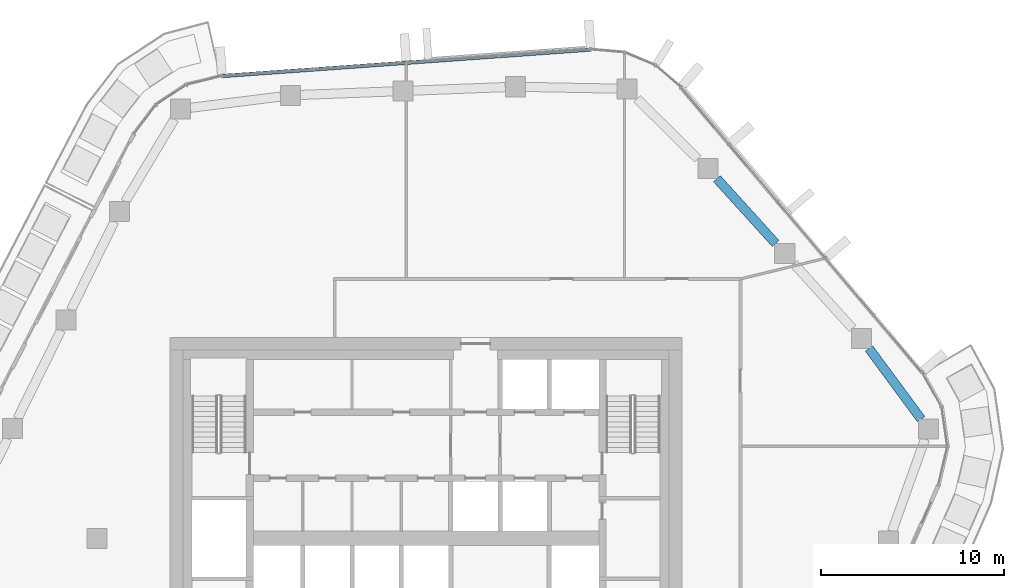
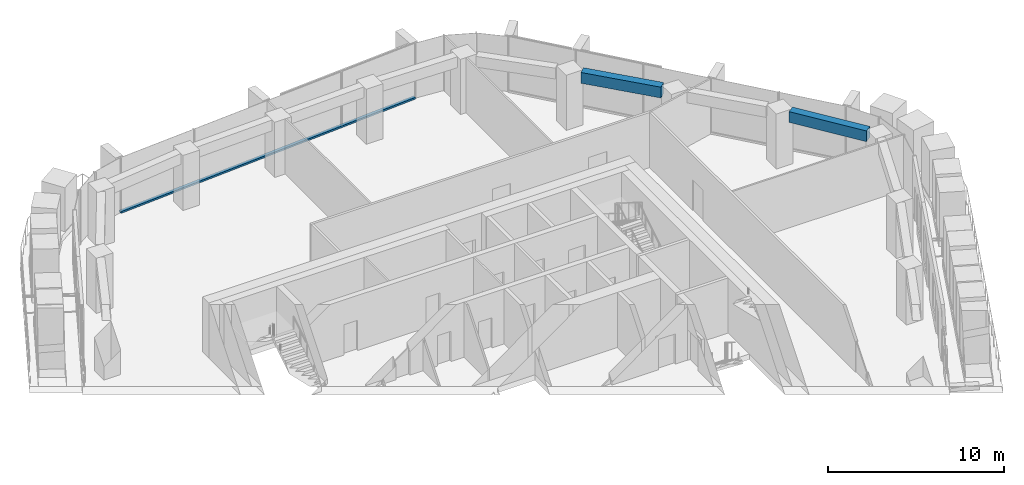
# One storey, part 8 of 21: 2 beams, 1 member, 1 element without a shape of its own.
"""IFC4 building model written with IfcOpenShell, lengths in metres."""

from ifc_helpers import new_model, si_unit, direction, frame, origin, origin_2d, place, context, subcontext, project, spatial, rectangle, extrude, material, layer, layer_set, material_profile, profile_set, type_object, element, aggregate, save


model = new_model("IFC4")

# Units and contexts
model_context = context("Model", 3, precision=1e-05, world=origin(), true_north=direction((0.0, 1.0)))
body_context = subcontext(model_context, "Body", "Model", "MODEL_VIEW")
ifc_project = project(units=[si_unit("LENGTHUNIT", "METRE"), si_unit("AREAUNIT", "SQUARE_METRE"), si_unit("VOLUMEUNIT", "CUBIC_METRE"), si_unit("PLANEANGLEUNIT", "RADIAN"), si_unit("MASSUNIT", "GRAM", prefix="KILO")], contexts=[model_context])

# Site, building, storey
site_placement = place(None, origin())
site = spatial("IfcSite", under=ifc_project, at=site_placement, CompositionType="ELEMENT")
building_placement = place(site_placement, origin())
building = spatial("IfcBuilding", under=site, at=building_placement, Name="Dongbaek Canopy Tower", CompositionType="ELEMENT")
storey_placement = place(building_placement, frame((0.0, 0.0, 270.60009765625)))
storey = spatial("IfcBuildingStorey", under=building, at=storey_placement, Name="L57", CompositionType="ELEMENT", Elevation=270.60009765625)

# Curtain wall, member
ifc_material_1 = material(Name="Aluminium 6063-T6 pale anodised", Category="aluminium")
ifc_layer = layer(ifc_material_1, 0.199951171875)
ifc_layer_set = layer_set([ifc_layer], Name="CW-1 unitised tower curtain wall")
curtain_wall_type = type_object("IfcCurtainWallType", Name="CW-1 unitised tower curtain wall", PredefinedType="NOTDEFINED", material=ifc_layer_set)
curtain_wall_placement = place(storey_placement, origin())
curtain_wall = element("IfcCurtainWall", 1, at=curtain_wall_placement, inside=storey, type_object=curtain_wall_type, Name="CW-1 curtain wall F1.1", PredefinedType="NOTDEFINED")
ifc_material_2 = material(Name="Aluminium 6063-T6 pale anodised", Category="aluminium")
ifc_material_profile_1 = material_profile(ifc_material_2, rectangle(XDim=0.199951171875, YDim=0.1201171875, at=origin_2d()), Name="CW-1 transom 120 x 200")
ifc_profile_set_1 = profile_set([ifc_material_profile_1], Name="Aluminium 6063-T6 pale anodised")
member_type = type_object("IfcMemberType", Name="CW-1 transom 120 x 200", PredefinedType="USERDEFINED", material=ifc_profile_set_1)
member_placement = place(storey_placement, frame((9.010986328125, 26.750732421875, 0.059814453125), z_axis=(-0.997423406214, -0.071739450345, 0.0), x_axis=(0.071739450345, -0.997423406214, 0.0)))
member = element("IfcMember", 2, at=member_placement, type_object=member_type, Name="CW-1 transom F1.1.1", ObjectType="TRANSOM", PredefinedType="USERDEFINED", context=body_context, shape_type="SweptSolid", body=[
    extrude(rectangle(XDim=0.199951171875, YDim=0.1201171875, at=origin_2d()), origin(), (0.0, 0.0, 1.0), 20.224853515625),
])
aggregate(curtain_wall, [member])

# Beams
ifc_material_3 = material(Name="Concrete C70", Category="concrete")
ifc_material_profile_2 = material_profile(ifc_material_3, rectangle(XDim=0.5, YDim=0.75, at=origin_2d()), Name="RC EDGE BEAM 500x750 C70")
ifc_profile_set_2 = profile_set([ifc_material_profile_2], Name="Concrete C70")
beam_type = type_object("IfcBeamType", Name="RC EDGE BEAM 500x750 C70", PredefinedType="BEAM", material=ifc_profile_set_2)
beam_1_placement = place(storey_placement, frame((15.916015625, 19.678955078125, 3.44482421875), z_axis=(0.671330225436, -0.741158369322, 0.0), x_axis=(0.741158369322, 0.671330225436, 0.0)))
element("IfcBeam", 3, at=beam_1_placement, inside=storey, type_object=beam_type, Name="EDGEBEAM:L57:18", PredefinedType="BEAM", context=body_context, shape_type="SweptSolid", body=[
    extrude(rectangle(XDim=0.5, YDim=0.75, at=origin_2d()), origin(), (0.0, 0.0, 1.0), 4.782958984375),
])
beam_2_placement = place(storey_placement, frame((24.23681640625, 10.388916015625, 3.44482421875), z_axis=(0.593714292615, -0.804675921564, 0.0), x_axis=(0.804675921564, 0.593714292615, 0.0)))
element("IfcBeam", 4, at=beam_2_placement, inside=storey, type_object=beam_type, Name="EDGEBEAM:L57:20", PredefinedType="BEAM", context=body_context, shape_type="SweptSolid", body=[
    extrude(rectangle(XDim=0.5, YDim=0.75, at=origin_2d()), origin(), (0.0, 0.0, 1.0), 4.79931640625),
])

save(model, "model.ifc")
